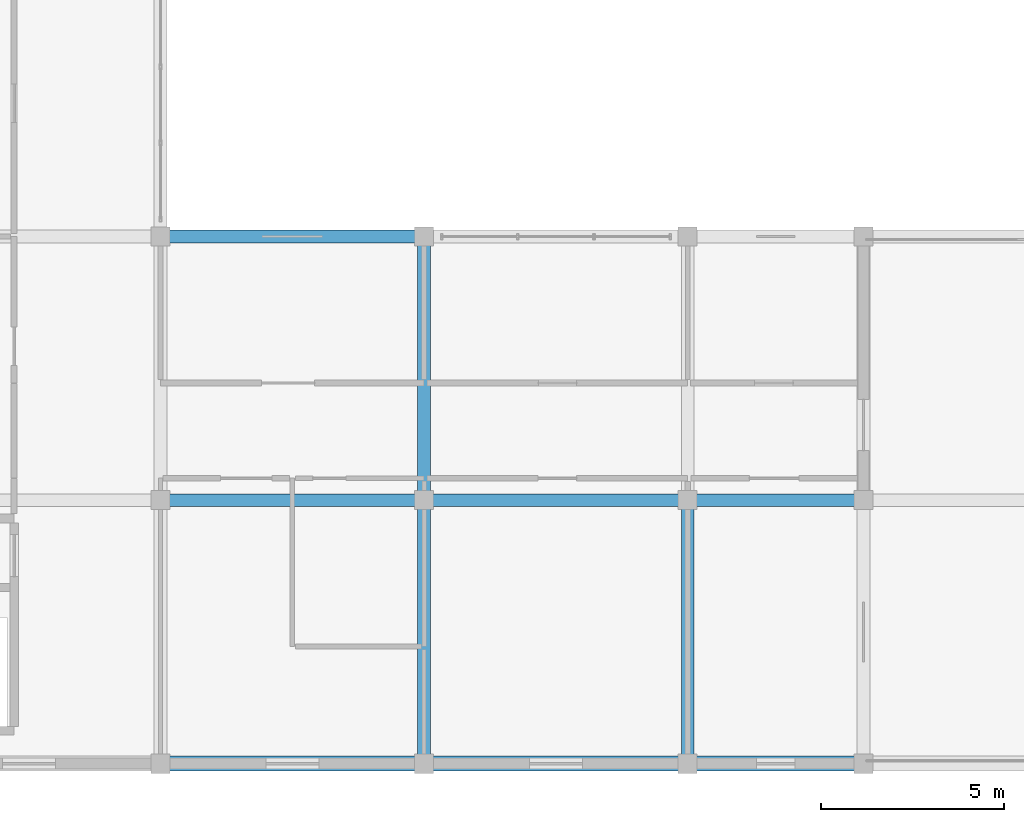
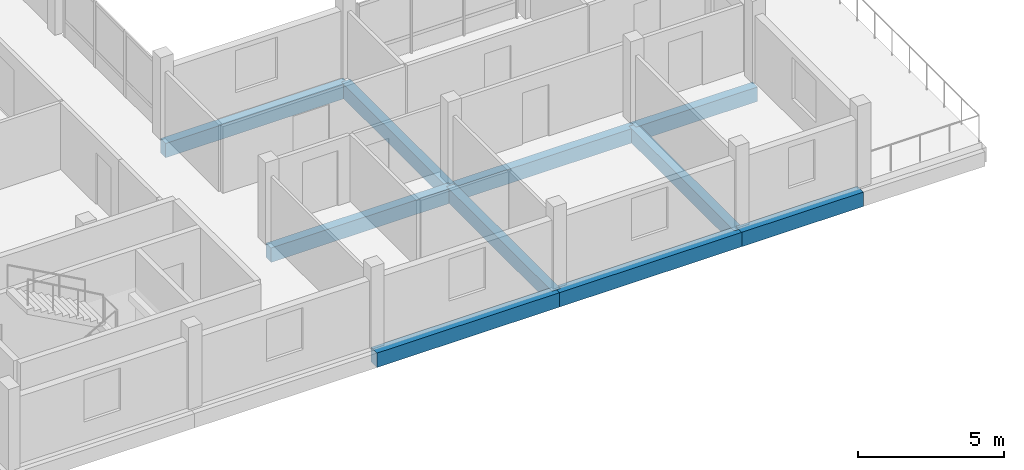
# One storey, part 5 of 26: 10 beams.
"""IFC4 building model written with IfcOpenShell, lengths in metres."""

import ifcopenshell
import ifcopenshell.guid

model = None  # the IFC model being written
_history = None  # IfcOwnerHistory: only IFC2X3 demands one
_inside = {}  # id of a spatial element -> (the spatial element, [elements in it])
_under = {}  # id of a project, library or spatial element -> (it, [spatial elements below it])
_declared = {}  # id of a project -> (the project, [libraries it declares])
_typed = {}  # id of a type object -> (the type object, [elements of that type])
_made_of = {}  # id of a material, layer set ... -> (it, [elements and type objects made of it])


def new_model(schema):
    """Start an empty IFC model of exactly this schema.

    Asked for "IFC4X3", IfcOpenShell would pick the latest addendum, in which some entities
    have other attributes; the version numbers below select the first issue.
    IFC2X3 requires an IfcOwnerHistory on every rooted entity: one is made here for all.
    """
    global model, _history
    if schema == "IFC4X3":
        model = ifcopenshell.file(schema_version=(4, 3, 0, 0))
    else:
        model = ifcopenshell.file(schema=schema)
    _inside.clear()
    _under.clear()
    _declared.clear()
    _typed.clear()
    _made_of.clear()
    _history = None
    if model.schema == "IFC2X3":
        org = make("IfcOrganization", Name="unknown")
        user = make(
            "IfcPersonAndOrganization",
            ThePerson=make("IfcPerson", FamilyName="unknown"),
            TheOrganization=org,
        )
        app = make(
            "IfcApplication",
            ApplicationDeveloper=org,
            Version="unknown",
            ApplicationFullName="unknown",
            ApplicationIdentifier="unknown",
        )
        _history = make(
            "IfcOwnerHistory",
            OwningUser=user,
            OwningApplication=app,
            ChangeAction="ADDED",
            CreationDate=0,
        )
    return model


def make(cls, **values):
    """One entity of the class cls with the attributes given. An attribute that is None is left unset."""
    return model.create_entity(
        cls, **{name: value for name, value in values.items() if value is not None}
    )


def rooted(cls, **values):
    """An entity with a GlobalId (a new one), such as an element, a storey or a relation."""
    return make(cls, GlobalId=ifcopenshell.guid.new(), OwnerHistory=_history, **values)


def si_unit(unit_type, name, prefix=None):
    """IfcSIUnit, for example si_unit("LENGTHUNIT", "METRE", prefix="MILLI")."""
    return make("IfcSIUnit", UnitType=unit_type, Prefix=prefix, Name=name)


def assignment(units):
    """IfcUnitAssignment: the units of a project."""
    return None if units is None else make("IfcUnitAssignment", Units=units)


def point(xyz):
    """IfcCartesianPoint."""
    return None if xyz is None else make("IfcCartesianPoint", Coordinates=xyz)


def direction(xyz):
    """IfcDirection."""
    return None if xyz is None else make("IfcDirection", DirectionRatios=xyz)


def frame(location, z_axis=None, x_axis=None):
    """IfcAxis2Placement3D, a coordinate frame: its origin and axes. An axis left out is left unset."""
    return make(
        "IfcAxis2Placement3D",
        Location=point(location),
        Axis=direction(z_axis),
        RefDirection=direction(x_axis),
    )


def frame_2d(location, x_axis=None):
    """IfcAxis2Placement2D, a coordinate frame in the plane: its origin and x axis."""
    return make(
        "IfcAxis2Placement2D", Location=point(location), RefDirection=direction(x_axis)
    )


def origin():
    """The frame at (0, 0, 0) with its axes left unset."""
    return frame((0.0, 0.0, 0.0))


def origin_2d():
    """The frame at (0, 0) in the plane with its x axis left unset."""
    return frame_2d((0.0, 0.0))


def place(relative_to, where):
    """IfcLocalPlacement: puts the frame where relative to a parent placement (None: the world)."""
    return make(
        "IfcLocalPlacement", PlacementRelTo=relative_to, RelativePlacement=where
    )


def context(
    kind, dimensions, precision=None, world=None, true_north=None, identifier=None
):
    """IfcGeometricRepresentationContext, for example the 3D "Model" context."""
    return make(
        "IfcGeometricRepresentationContext",
        ContextIdentifier=identifier,
        ContextType=kind,
        CoordinateSpaceDimension=dimensions,
        Precision=precision,
        WorldCoordinateSystem=world,
        TrueNorth=true_north,
    )


def subcontext(parent, identifier, kind, view, scale=None):
    """IfcGeometricRepresentationSubContext, for example "Body" below "Model"."""
    return make(
        "IfcGeometricRepresentationSubContext",
        ContextIdentifier=identifier,
        ContextType=kind,
        ParentContext=parent,
        TargetScale=scale,
        TargetView=view,
    )


def project(units=None, contexts=None):
    """IfcProject with its units and contexts."""
    return rooted(
        "IfcProject",
        Name="project",
        RepresentationContexts=contexts,
        UnitsInContext=assignment(units),
    )


def spatial(cls, under=None, at=None, **own):
    """A site, building, storey or space (cls), placed at a placement, below another one or the project."""
    s = rooted(cls, ObjectPlacement=at, **own)
    if under is not None:
        _under.setdefault(under.id(), (under, []))[1].append(s)
    return s


def profile(cls, at=None, kind="AREA", **sizes):
    """A parametric profile (cls). Its sizes go by their IFC names, for example OverallWidth=200.0."""
    return make(cls, ProfileType=kind, Position=at, **sizes)


def rectangle(**sizes):
    """IfcRectangleProfileDef."""
    return profile("IfcRectangleProfileDef", **sizes)


def extrude(swept, where, along, depth):
    """IfcExtrudedAreaSolid: the profile swept, set in the frame where, extruded along a direction by depth."""
    return make(
        "IfcExtrudedAreaSolid",
        SweptArea=swept,
        Position=where,
        ExtrudedDirection=direction(along),
        Depth=depth,
    )


def shape(context_of_items, identifier, shape_type, items):
    """IfcShapeRepresentation: the items that make up one representation, for example the "Body"."""
    return make(
        "IfcShapeRepresentation",
        ContextOfItems=context_of_items,
        RepresentationIdentifier=identifier,
        RepresentationType=shape_type,
        Items=items,
    )


def material(Name=None, Category=None):
    """IfcMaterial."""
    return make("IfcMaterial", Name=Name, Category=Category)


def material_profile(
    of_material, cross_section, Name=None, Category=None, Priority=None
):
    """IfcMaterialProfile: a cross section and its material."""
    return make(
        "IfcMaterialProfile",
        Name=Name,
        Material=of_material,
        Profile=cross_section,
        Priority=Priority,
        Category=Category,
    )


def profile_set(profiles, Name=None, composite=None):
    """IfcMaterialProfileSet."""
    return make(
        "IfcMaterialProfileSet",
        Name=Name,
        MaterialProfiles=profiles,
        CompositeProfile=composite,
    )


def made_of(thing, what):
    """Note that an element or type object is made of a material, layer set ...; save() writes the relation."""
    if what is not None:
        _made_of.setdefault(what.id(), (what, []))[1].append(thing)
    return thing


def type_object(cls, material=None, **own):
    """A type object (cls), such as IfcWallType, which elements share."""
    return made_of(rooted(cls, **own), material)


def element(
    cls,
    number,
    at=None,
    inside=None,
    cuts=None,
    type_object=None,
    material=None,
    context=None,
    identifier="Body",
    shape_type=None,
    held_by="IfcProductDefinitionShape",
    body=None,
    shapes=None,
    **own,
):
    """One element of the class cls, such as IfcWall. Its Tag is "e" and its number.

    at: its placement. inside: the storey or other place that contains it. cuts: it is an
    opening in that element (IfcRelVoidsElement). A single representation is given by context,
    identifier, shape_type and body (its items); several are given by shapes. held_by: the class
    of the entity that holds the representations. save() writes the other relations.
    """
    e = rooted(cls, Tag="e%d" % number, ObjectPlacement=at, **own)
    if body is not None:
        shapes = [shape(context, identifier, shape_type, body)]
    if shapes is not None:
        e.Representation = make(held_by, Representations=shapes)
    if inside is not None:
        _inside.setdefault(inside.id(), (inside, []))[1].append(e)
    if cuts is not None:
        rooted(
            "IfcRelVoidsElement", RelatingBuildingElement=cuts, RelatedOpeningElement=e
        )
    if type_object is not None:
        _typed.setdefault(type_object.id(), (type_object, []))[1].append(e)
    return made_of(e, material)


def aggregate(whole, parts):
    """IfcRelAggregates: a whole, such as a stair, and the parts it consists of."""
    return rooted("IfcRelAggregates", RelatingObject=whole, RelatedObjects=parts)


def save(model, path):
    """Write the relations noted so far, then the file.

    IfcRelAggregates (storeys below a building ...), IfcRelContainedInSpatialStructure (elements
    in a storey), IfcRelDefinesByType, IfcRelAssociatesMaterial and IfcRelDeclares: one each for
    every whole, place, type object, material and project.
    """
    for whole, parts in _under.values():
        aggregate(whole, parts)
    for where, things in _inside.values():
        rooted(
            "IfcRelContainedInSpatialStructure",
            RelatedElements=things,
            RelatingStructure=where,
        )
    for kind, things in _typed.values():
        rooted("IfcRelDefinesByType", RelatedObjects=things, RelatingType=kind)
    for what, things in _made_of.values():
        rooted("IfcRelAssociatesMaterial", RelatedObjects=things, RelatingMaterial=what)
    for by, libraries in _declared.values():
        rooted("IfcRelDeclares", RelatingContext=by, RelatedDefinitions=libraries)
    model.write(path)


model = new_model("IFC4")

# Units and contexts
model_context = context("Model", 3, precision=1e-05, world=origin(), true_north=direction((0.0, 1.0)))
body_context = subcontext(model_context, "Body", "Model", "MODEL_VIEW")
ifc_project = project(units=[si_unit("LENGTHUNIT", "METRE"), si_unit("AREAUNIT", "SQUARE_METRE"), si_unit("VOLUMEUNIT", "CUBIC_METRE"), si_unit("PLANEANGLEUNIT", "RADIAN"), si_unit("MASSUNIT", "GRAM", prefix="KILO")], contexts=[model_context])

# Site, building, storey
site_placement = place(None, origin())
site = spatial("IfcSite", under=ifc_project, at=site_placement, CompositionType="ELEMENT")
building_placement = place(site_placement, origin())
building = spatial("IfcBuilding", under=site, at=building_placement, Name="Zornivar Specialist Clinic", CompositionType="ELEMENT")
storey_placement = place(building_placement, frame((0.0, 0.0, 19.699951171875)))
storey = spatial("IfcBuildingStorey", under=building, at=storey_placement, Name="L05", CompositionType="ELEMENT", Elevation=19.699951171875)

# Beams
ifc_material_1 = material(Name="Concrete C30/37", Category="concrete")
ifc_material_profile_1 = material_profile(ifc_material_1, rectangle(XDim=0.35009765625, YDim=0.60009765625, at=origin_2d()), Name="RC 350x600")
ifc_profile_set_1 = profile_set([ifc_material_profile_1], Name="Concrete C30/37")
beam_type_1 = type_object("IfcBeamType", Name="BM-RC-350x600", PredefinedType="BEAM", material=ifc_profile_set_1)
beam_1_placement = place(storey_placement, frame((14.39990234375, 7.199951171875, -0.579833984375), z_axis=(1.0, 0.0, 0.0), x_axis=(0.0, 1.0, 0.0)))
element("IfcBeam", 1, at=beam_1_placement, inside=storey, type_object=beam_type_1, Name="bm:V2:L05:x:72:2", PredefinedType="BEAM", context=body_context, shape_type="SweptSolid", body=[
    extrude(rectangle(XDim=0.35009765625, YDim=0.60009765625, at=origin_2d()), origin(), (0.0, 0.0, 1.0), 7.2001953125),
])
beam_2_placement = place(storey_placement, frame((21.60009765625, 7.199951171875, -0.579833984375), z_axis=(1.0, 0.0, 0.0), x_axis=(0.0, 1.0, 0.0)))
element("IfcBeam", 2, at=beam_2_placement, inside=storey, type_object=beam_type_1, Name="bm:V2:L05:x:72:3", PredefinedType="BEAM", context=body_context, shape_type="SweptSolid", body=[
    extrude(rectangle(XDim=0.35009765625, YDim=0.60009765625, at=origin_2d()), origin(), (0.0, 0.0, 1.0), 7.199951171875),
])
beam_3_placement = place(storey_placement, frame((28.800048828125, 7.199951171875, -0.579833984375), z_axis=(1.0, 0.0, 0.0), x_axis=(0.0, 1.0, 0.0)))
element("IfcBeam", 3, at=beam_3_placement, inside=storey, type_object=beam_type_1, Name="bm:V2:L05:x:72:4", PredefinedType="BEAM", context=body_context, shape_type="SweptSolid", body=[
    extrude(rectangle(XDim=0.35009765625, YDim=0.60009765625, at=origin_2d()), origin(), (0.0, 0.0, 1.0), 4.800048828125),
])
beam_4_placement = place(storey_placement, frame((14.39990234375, 14.39990234375, -0.579833984375), z_axis=(1.0, 0.0, 0.0), x_axis=(0.0, 1.0, 0.0)))
element("IfcBeam", 4, at=beam_4_placement, inside=storey, type_object=beam_type_1, Name="bm:V2:L05:x:144:2", PredefinedType="BEAM", context=body_context, shape_type="SweptSolid", body=[
    extrude(rectangle(XDim=0.35009765625, YDim=0.60009765625, at=origin_2d()), origin(), (0.0, 0.0, 1.0), 7.2001953125),
])
for number, where, z_axis, x_axis, name in (
    (5, (21.60009765625, 0.0, -0.579833984375), (0.0, 1.0, 0.0), (-1.0, 0.0, 0.0), "bm:V2:L05:y:216:0"),
    (6, (21.60009765625, 7.199951171875, -0.579833984375), (0.0, 1.0, 0.0), (-1.0, 0.0, 0.0), "bm:V2:L05:y:216:1"),
    (7, (28.800048828125, 0.0, -0.579833984375), (0.0, 1.0, 0.0), (-1.0, 0.0, 0.0), "bm:V2:L05:y:288:0"),
):
    element("IfcBeam", number, at=place(storey_placement, frame(where, z_axis=z_axis, x_axis=x_axis)), inside=storey, type_object=beam_type_1, Name=name, PredefinedType="BEAM", context=body_context, shape_type="SweptSolid", body=[
        extrude(rectangle(XDim=0.35009765625, YDim=0.60009765625, at=origin_2d()), origin(), (0.0, 0.0, 1.0), 7.199951171875),
    ])
ifc_material_2 = material(Name="Concrete C30/37", Category="concrete")
ifc_material_profile_2 = material_profile(ifc_material_2, rectangle(XDim=0.409912109375, YDim=0.60009765625, at=origin_2d()), Name="RC 410x600")
ifc_profile_set_2 = profile_set([ifc_material_profile_2], Name="Concrete C30/37")
beam_type_2 = type_object("IfcBeamType", Name="BM-RC-SPANDREL-410x600", PredefinedType="SPANDREL", material=ifc_profile_set_2)
beam_5_placement = place(storey_placement, frame((14.39990234375, 0.0, -0.579833984375), z_axis=(1.0, 0.0, 0.0), x_axis=(0.0, 1.0, 0.0)))
element("IfcBeam", 8, at=beam_5_placement, inside=storey, type_object=beam_type_2, Name="bm:V2:L05:x:0:2", PredefinedType="SPANDREL", context=body_context, shape_type="SweptSolid", body=[
    extrude(rectangle(XDim=0.409912109375, YDim=0.60009765625, at=origin_2d()), origin(), (0.0, 0.0, 1.0), 7.2001953125),
])
beam_6_placement = place(storey_placement, frame((21.60009765625, 0.0, -0.579833984375), z_axis=(1.0, 0.0, 0.0), x_axis=(0.0, 1.0, 0.0)))
element("IfcBeam", 9, at=beam_6_placement, inside=storey, type_object=beam_type_2, Name="bm:V2:L05:x:0:3", PredefinedType="SPANDREL", context=body_context, shape_type="SweptSolid", body=[
    extrude(rectangle(XDim=0.409912109375, YDim=0.60009765625, at=origin_2d()), origin(), (0.0, 0.0, 1.0), 7.199951171875),
])
beam_7_placement = place(storey_placement, frame((28.800048828125, 0.0, -0.579833984375), z_axis=(1.0, 0.0, 0.0), x_axis=(0.0, 1.0, 0.0)))
element("IfcBeam", 10, at=beam_7_placement, inside=storey, type_object=beam_type_2, Name="bm:V2:L05:x:0:4", PredefinedType="SPANDREL", context=body_context, shape_type="SweptSolid", body=[
    extrude(rectangle(XDim=0.409912109375, YDim=0.60009765625, at=origin_2d()), origin(), (0.0, 0.0, 1.0), 4.800048828125),
])

save(model, "model.ifc")
